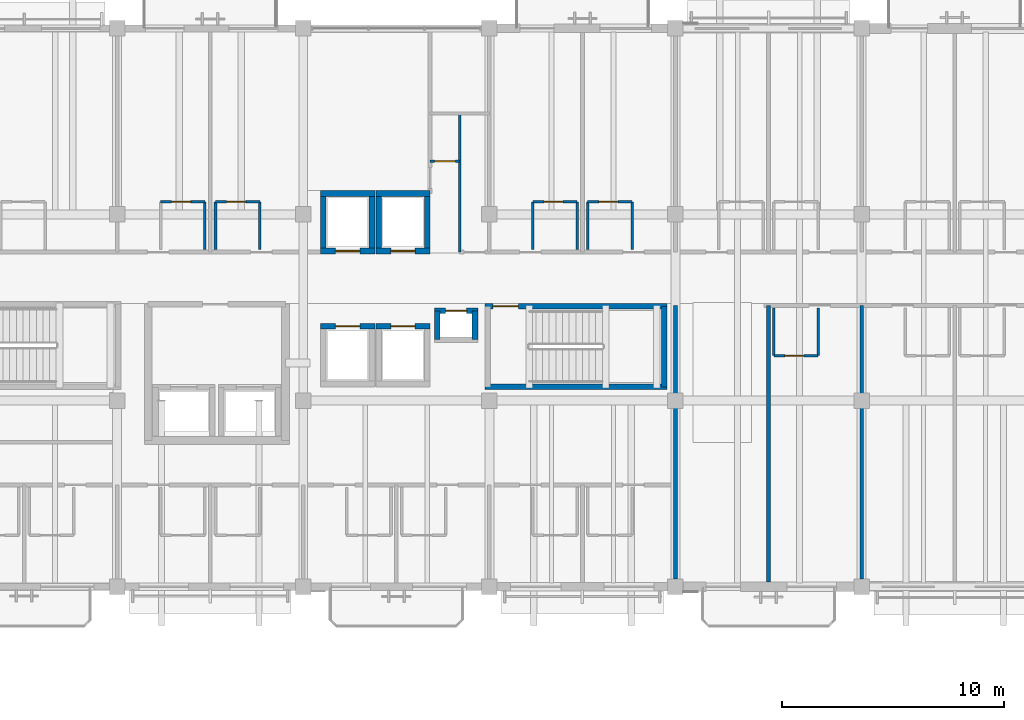
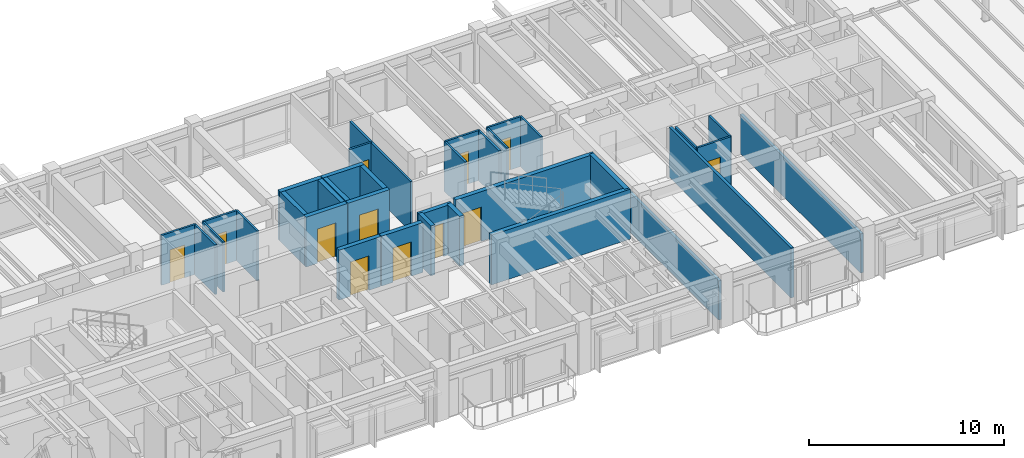
# One storey, part 81 of 93: 35 walls, 12 doors, 12 openings.
"""IFC4 building model written with IfcOpenShell, lengths in metres."""

from ifc_helpers import new_model, si_unit, direction, frame, frame_2d, origin, place, context, subcontext, project, spatial, rectangle, extrude, material, layer, layer_set, type_object, element, fill, save


model = new_model("IFC4")

# Units and contexts
model_context = context("Model", 3, precision=1e-05, world=origin(), true_north=direction((0.0, 1.0)))
body_context = subcontext(model_context, "Body", "Model", "MODEL_VIEW")
ifc_project = project(units=[si_unit("LENGTHUNIT", "METRE"), si_unit("AREAUNIT", "SQUARE_METRE"), si_unit("VOLUMEUNIT", "CUBIC_METRE"), si_unit("PLANEANGLEUNIT", "RADIAN"), si_unit("MASSUNIT", "GRAM", prefix="KILO")], contexts=[model_context])

# Site, building, storey
site_placement = place(None, origin())
site = spatial("IfcSite", under=ifc_project, at=site_placement, CompositionType="ELEMENT")
building_placement = place(site_placement, origin())
building = spatial("IfcBuilding", under=site, at=building_placement, Name="Cumbredor Promenade Congress Hotel", CompositionType="ELEMENT")
storey_placement = place(building_placement, frame((0.0, 0.0, 21.840087890625)))
storey = spatial("IfcBuildingStorey", under=building, at=storey_placement, Name="L06", CompositionType="ELEMENT", Elevation=21.840087890625)

# Wall, opening, door
ifc_material_1 = material(Name="Moisture-resistant gypsum board on steel studs", Category="steel")
ifc_layer_1 = layer(ifc_material_1, 0.114990234375, Name="Moisture-resistant gypsum board on steel studs", Category="steel")
ifc_layer_set_1 = layer_set([ifc_layer_1], Name="Moisture-resistant gypsum board on steel studs")
wall_type_1 = type_object("IfcWallType", Name="WL-BATH-115", PredefinedType="PARTITIONING", material=ifc_layer_set_1)
wall_1_placement = place(storey_placement, frame((27.159912109375, 109.77001953125, 0.0), z_axis=(0.0, 0.0, 1.0), x_axis=(1.0, 0.0, 0.0)))
wall_1 = element("IfcWall", 1, at=wall_1_placement, inside=storey, type_object=wall_type_1, Name="L06 Interior Partition W-L06-BH-0606", PredefinedType="PARTITIONING", context=body_context, shape_type="SweptSolid", body=[
    extrude(rectangle(XDim=2.0, YDim=0.114990234375, at=frame_2d((1.0, 0.0))), origin(), (0.0, 0.0, 1.0), 3.119873046875),
])
opening_1_placement = place(wall_1_placement, frame((0.5, 0.0, 0.0)))
opening_1 = element("IfcOpeningElement", 2, at=opening_1_placement, cuts=wall_1, Name="Opening ID-01", PredefinedType="OPENING", context=body_context, shape_type="SweptSolid", body=[
    extrude(rectangle(XDim=0.860107421875, YDim=2.050048828125, at=frame_2d((0.43017578125, 1.02490234375))), frame((0.0, 0.0673828125, 0.0), z_axis=(0.0, -1.0, 0.0), x_axis=(1.0, 0.0, 0.0)), (0.0, 0.0, 1.0), 0.135009765625),
])
ifc_material_2 = material(Name="Kiln-dried tropical hardwood", Category="wood")
door_type_1 = type_object("IfcDoorType", Name="DR-BATH-860", OperationType="NOTDEFINED", PredefinedType="DOOR", material=ifc_material_2)
door_1_placement = place(opening_1_placement, origin())
door_1 = element("IfcDoor", 3, at=door_1_placement, inside=storey, type_object=door_type_1, Name="L06 Interior Door W-L06-BH-0606-01", OperationType="SINGLE_SWING_RIGHT", OverallHeight=2.050048828125, OverallWidth=0.860107421875, PredefinedType="DOOR", context=body_context, shape_type="SweptSolid", body=[
    extrude(rectangle(XDim=0.860107421875, YDim=2.050048828125, at=frame_2d((0.43017578125, 1.02490234375))), frame((0.0, 0.02490234375, 0.0), z_axis=(0.0, -1.0, 0.0), x_axis=(1.0, 0.0, 0.0)), (0.0, 0.0, 1.0), 0.050048828125),
])
fill(opening_1, door_1)

# Wall
wall_2_placement = place(storey_placement, frame((29.159912109375, 107.6201171875, 0.0), z_axis=(0.0, 0.0, 1.0), x_axis=(0.0, 1.0, 0.0)))
element("IfcWall", 4, at=wall_2_placement, inside=storey, type_object=wall_type_1, Name="L06 Interior Partition W-L06-BV2-0606", PredefinedType="PARTITIONING", context=body_context, shape_type="SweptSolid", body=[
    extrude(rectangle(XDim=2.14990234375, YDim=0.114990234375, at=frame_2d((1.074951171875, 0.0))), origin(), (0.0, 0.0, 1.0), 3.119873046875),
])

# Wall, opening, door
wall_3_placement = place(storey_placement, frame((29.639892578125, 109.77001953125, 0.0), z_axis=(0.0, 0.0, 1.0), x_axis=(1.0, 0.0, 0.0)))
wall_3 = element("IfcWall", 5, at=wall_3_placement, inside=storey, type_object=wall_type_1, Name="L06 Interior Partition W-L06-BH-0607", PredefinedType="PARTITIONING", context=body_context, shape_type="SweptSolid", body=[
    extrude(rectangle(XDim=2.0, YDim=0.114990234375, at=frame_2d((1.0, 0.0))), origin(), (0.0, 0.0, 1.0), 3.119873046875),
])
opening_2_placement = place(wall_3_placement, frame((0.5, 0.0, 0.0)))
opening_2 = element("IfcOpeningElement", 6, at=opening_2_placement, cuts=wall_3, Name="Opening ID-01", PredefinedType="OPENING", context=body_context, shape_type="SweptSolid", body=[
    extrude(rectangle(XDim=0.860107421875, YDim=2.050048828125, at=frame_2d((0.43017578125, 1.02490234375))), frame((0.0, 0.0673828125, 0.0), z_axis=(0.0, -1.0, 0.0), x_axis=(1.0, 0.0, 0.0)), (0.0, 0.0, 1.0), 0.135009765625),
])
door_2_placement = place(opening_2_placement, origin())
door_2 = element("IfcDoor", 7, at=door_2_placement, inside=storey, type_object=door_type_1, Name="L06 Interior Door W-L06-BH-0607-01", OperationType="SINGLE_SWING_LEFT", OverallHeight=2.050048828125, OverallWidth=0.860107421875, PredefinedType="DOOR", context=body_context, shape_type="SweptSolid", body=[
    extrude(rectangle(XDim=0.860107421875, YDim=2.050048828125, at=frame_2d((0.43017578125, 1.02490234375))), frame((0.0, 0.02490234375, 0.0), z_axis=(0.0, -1.0, 0.0), x_axis=(1.0, 0.0, 0.0)), (0.0, 0.0, 1.0), 0.050048828125),
])
fill(opening_2, door_2)

# Walls
for number, where, z_axis, x_axis, name in (
    (8, (29.639892578125, 107.6201171875, 0.0), (0.0, 0.0, 1.0), (0.0, 1.0, 0.0), "L06 Interior Partition W-L06-BV1-0607"),
    (9, (31.639892578125, 107.6201171875, 0.0), (0.0, 0.0, 1.0), (0.0, 1.0, 0.0), "L06 Interior Partition W-L06-BV2-0607"),
):
    element("IfcWall", number, at=place(storey_placement, frame(where, z_axis=z_axis, x_axis=x_axis)), inside=storey, type_object=wall_type_1, Name=name, PredefinedType="PARTITIONING", context=body_context, shape_type="SweptSolid", body=[
        extrude(rectangle(XDim=2.14990234375, YDim=0.114990234375, at=frame_2d((1.074951171875, 0.0))), origin(), (0.0, 0.0, 1.0), 3.119873046875),
    ])

# Wall, opening, door
wall_4_placement = place(storey_placement, frame((43.9599609375, 109.77001953125, 0.0), z_axis=(0.0, 0.0, 1.0), x_axis=(1.0, 0.0, 0.0)))
wall_4 = element("IfcWall", 10, at=wall_4_placement, inside=storey, type_object=wall_type_1, Name="L06 Interior Partition W-L06-BH-0608", PredefinedType="PARTITIONING", context=body_context, shape_type="SweptSolid", body=[
    extrude(rectangle(XDim=2.0, YDim=0.114990234375, at=frame_2d((1.0, 0.0))), origin(), (0.0, 0.0, 1.0), 3.119873046875),
])
opening_3_placement = place(wall_4_placement, frame((0.5, 0.0, 0.0)))
opening_3 = element("IfcOpeningElement", 11, at=opening_3_placement, cuts=wall_4, Name="Opening ID-01", PredefinedType="OPENING", context=body_context, shape_type="SweptSolid", body=[
    extrude(rectangle(XDim=0.860107421875, YDim=2.050048828125, at=frame_2d((0.43017578125, 1.02490234375))), frame((0.0, 0.0673828125, 0.0), z_axis=(0.0, -1.0, 0.0), x_axis=(1.0, 0.0, 0.0)), (0.0, 0.0, 1.0), 0.135009765625),
])
door_3_placement = place(opening_3_placement, origin())
door_3 = element("IfcDoor", 12, at=door_3_placement, inside=storey, type_object=door_type_1, Name="L06 Interior Door W-L06-BH-0608-01", OperationType="SINGLE_SWING_RIGHT", OverallHeight=2.050048828125, OverallWidth=0.860107421875, PredefinedType="DOOR", context=body_context, shape_type="SweptSolid", body=[
    extrude(rectangle(XDim=0.860107421875, YDim=2.050048828125, at=frame_2d((0.43017578125, 1.02490234375))), frame((0.0, 0.02490234375, 0.0), z_axis=(0.0, -1.0, 0.0), x_axis=(1.0, 0.0, 0.0)), (0.0, 0.0, 1.0), 0.050048828125),
])
fill(opening_3, door_3)

# Walls
for number, where, z_axis, x_axis, name in (
    (13, (43.9599609375, 107.6201171875, 0.0), (0.0, 0.0, 1.0), (0.0, 1.0, 0.0), "L06 Interior Partition W-L06-BV1-0608"),
    (14, (45.9599609375, 107.6201171875, 0.0), (0.0, 0.0, 1.0), (0.0, 1.0, 0.0), "L06 Interior Partition W-L06-BV2-0608"),
):
    element("IfcWall", number, at=place(storey_placement, frame(where, z_axis=z_axis, x_axis=x_axis)), inside=storey, type_object=wall_type_1, Name=name, PredefinedType="PARTITIONING", context=body_context, shape_type="SweptSolid", body=[
        extrude(rectangle(XDim=2.14990234375, YDim=0.114990234375, at=frame_2d((1.074951171875, 0.0))), origin(), (0.0, 0.0, 1.0), 3.119873046875),
    ])

# Wall, opening, door
wall_5_placement = place(storey_placement, frame((46.43994140625, 109.77001953125, 0.0), z_axis=(0.0, 0.0, 1.0), x_axis=(1.0, 0.0, 0.0)))
wall_5 = element("IfcWall", 15, at=wall_5_placement, inside=storey, type_object=wall_type_1, Name="L06 Interior Partition W-L06-BH-0609", PredefinedType="PARTITIONING", context=body_context, shape_type="SweptSolid", body=[
    extrude(rectangle(XDim=2.0, YDim=0.114990234375, at=frame_2d((1.0, 0.0))), origin(), (0.0, 0.0, 1.0), 3.119873046875),
])
opening_4_placement = place(wall_5_placement, frame((0.5, 0.0, 0.0)))
opening_4 = element("IfcOpeningElement", 16, at=opening_4_placement, cuts=wall_5, Name="Opening ID-01", PredefinedType="OPENING", context=body_context, shape_type="SweptSolid", body=[
    extrude(rectangle(XDim=0.860107421875, YDim=2.050048828125, at=frame_2d((0.43017578125, 1.02490234375))), frame((0.0, 0.0673828125, 0.0), z_axis=(0.0, -1.0, 0.0), x_axis=(1.0, 0.0, 0.0)), (0.0, 0.0, 1.0), 0.135009765625),
])
door_4_placement = place(opening_4_placement, origin())
door_4 = element("IfcDoor", 17, at=door_4_placement, inside=storey, type_object=door_type_1, Name="L06 Interior Door W-L06-BH-0609-01", OperationType="SINGLE_SWING_LEFT", OverallHeight=2.050048828125, OverallWidth=0.860107421875, PredefinedType="DOOR", context=body_context, shape_type="SweptSolid", body=[
    extrude(rectangle(XDim=0.860107421875, YDim=2.050048828125, at=frame_2d((0.43017578125, 1.02490234375))), frame((0.0, 0.02490234375, 0.0), z_axis=(0.0, -1.0, 0.0), x_axis=(1.0, 0.0, 0.0)), (0.0, 0.0, 1.0), 0.050048828125),
])
fill(opening_4, door_4)

# Walls
for number, where, z_axis, x_axis, name in (
    (18, (46.43994140625, 107.6201171875, 0.0), (0.0, 0.0, 1.0), (0.0, 1.0, 0.0), "L06 Interior Partition W-L06-BV1-0609"),
    (19, (48.43994140625, 107.6201171875, 0.0), (0.0, 0.0, 1.0), (0.0, 1.0, 0.0), "L06 Interior Partition W-L06-BV2-0609"),
):
    element("IfcWall", number, at=place(storey_placement, frame(where, z_axis=z_axis, x_axis=x_axis)), inside=storey, type_object=wall_type_1, Name=name, PredefinedType="PARTITIONING", context=body_context, shape_type="SweptSolid", body=[
        extrude(rectangle(XDim=2.14990234375, YDim=0.114990234375, at=frame_2d((1.074951171875, 0.0))), origin(), (0.0, 0.0, 1.0), 3.119873046875),
    ])

# Wall, opening, door
wall_6_placement = place(storey_placement, frame((54.840087890625, 102.830078125, 0.0), z_axis=(0.0, 0.0, 1.0), x_axis=(1.0, 0.0, 0.0)))
wall_6 = element("IfcWall", 20, at=wall_6_placement, inside=storey, type_object=wall_type_1, Name="L06 Interior Partition W-L06-BH-0614", PredefinedType="PARTITIONING", context=body_context, shape_type="SweptSolid", body=[
    extrude(rectangle(XDim=2.0, YDim=0.114990234375, at=frame_2d((1.0, 0.0))), origin(), (0.0, 0.0, 1.0), 3.119873046875),
])
opening_5_placement = place(wall_6_placement, frame((0.5, 0.0, 0.0)))
opening_5 = element("IfcOpeningElement", 21, at=opening_5_placement, cuts=wall_6, Name="Opening ID-01", PredefinedType="OPENING", context=body_context, shape_type="SweptSolid", body=[
    extrude(rectangle(XDim=0.860107421875, YDim=2.050048828125, at=frame_2d((0.43017578125, 1.02490234375))), frame((0.0, 0.0673828125, 0.0), z_axis=(0.0, -1.0, 0.0), x_axis=(1.0, 0.0, 0.0)), (0.0, 0.0, 1.0), 0.135009765625),
])
door_5_placement = place(opening_5_placement, origin())
door_5 = element("IfcDoor", 22, at=door_5_placement, inside=storey, type_object=door_type_1, Name="L06 Interior Door W-L06-BH-0614-01", OperationType="SINGLE_SWING_RIGHT", OverallHeight=2.050048828125, OverallWidth=0.860107421875, PredefinedType="DOOR", context=body_context, shape_type="SweptSolid", body=[
    extrude(rectangle(XDim=0.860107421875, YDim=2.050048828125, at=frame_2d((0.43017578125, 1.02490234375))), frame((0.0, 0.02490234375, 0.0), z_axis=(0.0, -1.0, 0.0), x_axis=(1.0, 0.0, 0.0)), (0.0, 0.0, 1.0), 0.050048828125),
])
fill(opening_5, door_5)

# Walls
for number, where, z_axis, x_axis, name in (
    (23, (54.840087890625, 102.830078125, 0.0), (0.0, 0.0, 1.0), (0.0, 1.0, 0.0), "L06 Interior Partition W-L06-BV1-0614"),
    (24, (56.840087890625, 102.830078125, 0.0), (0.0, 0.0, 1.0), (0.0, 1.0, 0.0), "L06 Interior Partition W-L06-BV2-0614"),
):
    element("IfcWall", number, at=place(storey_placement, frame(where, z_axis=z_axis, x_axis=x_axis)), inside=storey, type_object=wall_type_1, Name=name, PredefinedType="PARTITIONING", context=body_context, shape_type="SweptSolid", body=[
        extrude(rectangle(XDim=2.14990234375, YDim=0.114990234375, at=frame_2d((1.074951171875, 0.0))), origin(), (0.0, 0.0, 1.0), 3.119873046875),
    ])

# Wall, opening, door
ifc_material_3 = material(Name="Gypsum board on steel studs", Category="steel")
ifc_layer_2 = layer(ifc_material_3, 0.125, Name="Gypsum board on steel studs", Category="steel")
ifc_layer_set_2 = layer_set([ifc_layer_2], Name="Gypsum board on steel studs")
wall_type_2 = type_object("IfcWallType", Name="WL-PART-125", PredefinedType="PARTITIONING", material=ifc_layer_set_2)
wall_7_placement = place(storey_placement, frame((39.330078125, 111.60009765625, 0.0), z_axis=(0.0, 0.0, 1.0), x_axis=(1.0, 0.0, 0.0)))
wall_7 = element("IfcWall", 25, at=wall_7_placement, inside=storey, type_object=wall_type_2, Name="L06 Interior Partition W-L06-HK-S", PredefinedType="PARTITIONING", context=body_context, shape_type="SweptSolid", body=[
    extrude(rectangle(XDim=1.329833984375, YDim=0.125, at=frame_2d((0.6650390625, 0.0))), origin(), (0.0, 0.0, 1.0), 3.119873046875),
])
opening_6_placement = place(wall_7_placement, frame((0.195068359375, 0.0, 0.0)))
opening_6 = element("IfcOpeningElement", 26, at=opening_6_placement, cuts=wall_7, Name="Opening FD-03", PredefinedType="OPENING", context=body_context, shape_type="SweptSolid", body=[
    extrude(rectangle(XDim=0.93994140625, YDim=2.10009765625, at=frame_2d((0.469970703125, 1.050048828125))), frame((0.0, 0.072509765625, 0.0), z_axis=(0.0, -1.0, 0.0), x_axis=(1.0, 0.0, 0.0)), (0.0, 0.0, 1.0), 0.14501953125),
])
ifc_material_4 = material(Name="Painted galvanized steel fire door", Category="steel")
door_type_2 = type_object("IfcDoorType", Name="DR-SGL-FD60-950", OperationType="NOTDEFINED", PredefinedType="DOOR", material=ifc_material_4)
door_6_placement = place(opening_6_placement, origin())
door_6 = element("IfcDoor", 27, at=door_6_placement, inside=storey, type_object=door_type_2, Name="L06 Interior Door W-L06-HK-S-01", OperationType="SINGLE_SWING_LEFT", OverallHeight=2.10009765625, OverallWidth=0.93994140625, PredefinedType="DOOR", context=body_context, shape_type="SweptSolid", body=[
    extrude(rectangle(XDim=0.93994140625, YDim=2.10009765625, at=frame_2d((0.469970703125, 1.050048828125))), frame((0.0, 0.02490234375, 0.0), z_axis=(0.0, -1.0, 0.0), x_axis=(1.0, 0.0, 0.0)), (0.0, 0.0, 1.0), 0.050048828125),
])
fill(opening_6, door_6)

# Walls
wall_8_placement = place(storey_placement, frame((40.659912109375, 107.5, 0.0), z_axis=(0.0, 0.0, 1.0), x_axis=(0.0, 1.0, 0.0)))
element("IfcWall", 28, at=wall_8_placement, inside=storey, type_object=wall_type_2, Name="L06 Interior Partition W-L06-HK-DIV", PredefinedType="PARTITIONING", context=body_context, shape_type="SweptSolid", body=[
    extrude(rectangle(XDim=6.25, YDim=0.125, at=frame_2d((3.125, 0.0))), origin(), (0.0, 0.0, 1.0), 3.119873046875),
])
ifc_material_5 = material(Name="Concrete C40/50", Category="concrete")
ifc_layer_3 = layer(ifc_material_5, 0.2548828125, Name="Concrete C40/50", Category="concrete")
ifc_layer_set_3 = layer_set([ifc_layer_3], Name="Concrete C40/50")
wall_type_3 = type_object("IfcWallType", Name="WL-SHAFT-250", PredefinedType="SOLIDWALL", material=ifc_layer_set_3)
wall_9_placement = place(storey_placement, frame((41.802490234375, 101.419921875, 0.0), z_axis=(0.0, 0.0, 1.0), x_axis=(1.0, 0.0, 0.0)))
element("IfcWall", 29, at=wall_9_placement, inside=storey, type_object=wall_type_3, Name="STAIR-ST-03-L06 Shaft Wall South", PredefinedType="SOLIDWALL", context=body_context, shape_type="SweptSolid", body=[
    extrude(rectangle(XDim=8.22509765625, YDim=0.2548828125, at=frame_2d((4.112548828125, 0.0))), origin(), (0.0, 0.0, 1.0), 3.119873046875),
])

# Wall, opening, door
wall_10_placement = place(storey_placement, frame((41.802490234375, 105.050048828125, 0.0), z_axis=(0.0, 0.0, 1.0), x_axis=(1.0, 0.0, 0.0)))
wall_10 = element("IfcWall", 30, at=wall_10_placement, inside=storey, type_object=wall_type_3, Name="STAIR-ST-03-L06 Shaft Wall North", PredefinedType="SOLIDWALL", context=body_context, shape_type="SweptSolid", body=[
    extrude(rectangle(XDim=8.22509765625, YDim=0.2548828125, at=frame_2d((4.112548828125, 0.0))), origin(), (0.0, 0.0, 1.0), 3.119873046875),
])
opening_7_placement = place(wall_10_placement, frame((0.35009765625, 0.0, 0.0)))
opening_7 = element("IfcOpeningElement", 31, at=opening_7_placement, cuts=wall_10, Name="Opening SD-01", PredefinedType="OPENING", context=body_context, shape_type="SweptSolid", body=[
    extrude(rectangle(XDim=1.159912109375, YDim=2.14990234375, at=frame_2d((0.580078125, 1.074951171875))), frame((0.0, 0.137451171875, 0.0), z_axis=(0.0, -1.0, 0.0), x_axis=(1.0, 0.0, 0.0)), (0.0, 0.0, 1.0), 0.27490234375),
])
door_type_3 = type_object("IfcDoorType", Name="DR-STAIR-FD90-1150", OperationType="NOTDEFINED", PredefinedType="DOOR", material=ifc_material_4)
door_7_placement = place(opening_7_placement, origin())
door_7 = element("IfcDoor", 32, at=door_7_placement, inside=storey, type_object=door_type_3, Name="L06 Protected Exit Stair ST-03 Door", OperationType="SINGLE_SWING_RIGHT", OverallHeight=2.14990234375, OverallWidth=1.159912109375, PredefinedType="DOOR", context=body_context, shape_type="SweptSolid", body=[
    extrude(rectangle(XDim=1.159912109375, YDim=2.14990234375, at=frame_2d((0.580078125, 1.074951171875))), frame((0.0, 0.02490234375, 0.0), z_axis=(0.0, -1.0, 0.0), x_axis=(1.0, 0.0, 0.0)), (0.0, 0.0, 1.0), 0.050048828125),
])
fill(opening_7, door_7)

# Wall
wall_11_placement = place(storey_placement, frame((49.89990234375, 101.419921875, 0.0), z_axis=(0.0, 0.0, 1.0), x_axis=(0.0, 1.0, 0.0)))
element("IfcWall", 33, at=wall_11_placement, inside=storey, type_object=wall_type_3, Name="STAIR-ST-03-L06 Shaft Wall East", PredefinedType="SOLIDWALL", context=body_context, shape_type="SweptSolid", body=[
    extrude(rectangle(XDim=3.630126953125, YDim=0.2548828125, at=frame_2d((1.81494140625, 0.0))), origin(), (0.0, 0.0, 1.0), 3.119873046875),
])

# Wall, opening, door
wall_12_placement = place(storey_placement, frame((34.37255859375, 107.550048828125, 0.0), z_axis=(0.0, 0.0, 1.0), x_axis=(1.0, 0.0, 0.0)))
wall_12 = element("IfcWall", 34, at=wall_12_placement, inside=storey, type_object=wall_type_3, Name="SHAFT-PL-01-L06 Shaft Wall South", PredefinedType="SOLIDWALL", context=body_context, shape_type="SweptSolid", body=[
    extrude(rectangle(XDim=2.454833984375, YDim=0.2548828125, at=frame_2d((1.2275390625, 0.0))), origin(), (0.0, 0.0, 1.0), 3.119873046875),
])
opening_8_placement = place(wall_12_placement, frame((0.677490234375, 0.0, 0.0)))
opening_8 = element("IfcOpeningElement", 35, at=opening_8_placement, cuts=wall_12, Name="Opening LD-01", PredefinedType="OPENING", context=body_context, shape_type="SweptSolid", body=[
    extrude(rectangle(XDim=1.10009765625, YDim=2.14990234375, at=frame_2d((0.550048828125, 1.074951171875))), frame((0.0, 0.137451171875, 0.0), z_axis=(0.0, -1.0, 0.0), x_axis=(1.0, 0.0, 0.0)), (0.0, 0.0, 1.0), 0.27490234375),
])
ifc_material_6 = material(Name="Brushed stainless steel", Category="steel")
door_type_4 = type_object("IfcDoorType", Name="Lift Landing Sliding Door LD-01 1100x2150", OperationType="DOUBLE_DOOR_SLIDING", PredefinedType="DOOR", material=ifc_material_6)
door_8_placement = place(opening_8_placement, origin())
door_8 = element("IfcDoor", 36, at=door_8_placement, inside=storey, type_object=door_type_4, Name="L06 Hotel Passenger Lift PL-01 Sliding Landing Door", OperationType="DOUBLE_DOOR_SLIDING", OverallHeight=2.14990234375, OverallWidth=1.10009765625, PredefinedType="DOOR", context=body_context, shape_type="SweptSolid", body=[
    extrude(rectangle(XDim=1.10009765625, YDim=2.14990234375, at=frame_2d((0.550048828125, 1.074951171875))), frame((0.0, 0.02490234375, 0.0), z_axis=(0.0, -1.0, 0.0), x_axis=(1.0, 0.0, 0.0)), (0.0, 0.0, 1.0), 0.050048828125),
])
fill(opening_8, door_8)

# Walls
wall_13_placement = place(storey_placement, frame((34.37255859375, 110.14990234375, 0.0), z_axis=(0.0, 0.0, 1.0), x_axis=(1.0, 0.0, 0.0)))
element("IfcWall", 37, at=wall_13_placement, inside=storey, type_object=wall_type_3, Name="SHAFT-PL-01-L06 Shaft Wall North", PredefinedType="SOLIDWALL", context=body_context, shape_type="SweptSolid", body=[
    extrude(rectangle(XDim=2.454833984375, YDim=0.2548828125, at=frame_2d((1.2275390625, 0.0))), origin(), (0.0, 0.0, 1.0), 3.119873046875),
])
for number, where, z_axis, x_axis, name in (
    (38, (34.5, 107.550048828125, 0.0), (0.0, 0.0, 1.0), (0.0, 1.0, 0.0), "SHAFT-PL-01-L06 Shaft Wall West"),
    (39, (36.699951171875, 107.550048828125, 0.0), (0.0, 0.0, 1.0), (0.0, 1.0, 0.0), "SHAFT-PL-01-L06 Shaft Wall East"),
):
    element("IfcWall", number, at=place(storey_placement, frame(where, z_axis=z_axis, x_axis=x_axis)), inside=storey, type_object=wall_type_3, Name=name, PredefinedType="SOLIDWALL", context=body_context, shape_type="SweptSolid", body=[
        extrude(rectangle(XDim=2.599853515625, YDim=0.2548828125, at=frame_2d((1.2998046875, 0.0))), origin(), (0.0, 0.0, 1.0), 3.119873046875),
    ])

# Wall, opening, door
wall_14_placement = place(storey_placement, frame((36.87255859375, 107.550048828125, 0.0), z_axis=(0.0, 0.0, 1.0), x_axis=(1.0, 0.0, 0.0)))
wall_14 = element("IfcWall", 40, at=wall_14_placement, inside=storey, type_object=wall_type_3, Name="SHAFT-PL-02-L06 Shaft Wall South", PredefinedType="SOLIDWALL", context=body_context, shape_type="SweptSolid", body=[
    extrude(rectangle(XDim=2.454833984375, YDim=0.2548828125, at=frame_2d((1.2275390625, 0.0))), origin(), (0.0, 0.0, 1.0), 3.119873046875),
])
opening_9_placement = place(wall_14_placement, frame((0.677490234375, 0.0, 0.0)))
opening_9 = element("IfcOpeningElement", 41, at=opening_9_placement, cuts=wall_14, Name="Opening LD-01", PredefinedType="OPENING", context=body_context, shape_type="SweptSolid", body=[
    extrude(rectangle(XDim=1.10009765625, YDim=2.14990234375, at=frame_2d((0.550048828125, 1.074951171875))), frame((0.0, 0.137451171875, 0.0), z_axis=(0.0, -1.0, 0.0), x_axis=(1.0, 0.0, 0.0)), (0.0, 0.0, 1.0), 0.27490234375),
])
door_9_placement = place(opening_9_placement, origin())
door_9 = element("IfcDoor", 42, at=door_9_placement, inside=storey, type_object=door_type_4, Name="L06 Hotel Passenger Lift PL-02 Sliding Landing Door", OperationType="DOUBLE_DOOR_SLIDING", OverallHeight=2.14990234375, OverallWidth=1.10009765625, PredefinedType="DOOR", context=body_context, shape_type="SweptSolid", body=[
    extrude(rectangle(XDim=1.10009765625, YDim=2.14990234375, at=frame_2d((0.550048828125, 1.074951171875))), frame((0.0, 0.02490234375, 0.0), z_axis=(0.0, -1.0, 0.0), x_axis=(1.0, 0.0, 0.0)), (0.0, 0.0, 1.0), 0.050048828125),
])
fill(opening_9, door_9)

# Walls
wall_15_placement = place(storey_placement, frame((36.87255859375, 110.14990234375, 0.0), z_axis=(0.0, 0.0, 1.0), x_axis=(1.0, 0.0, 0.0)))
element("IfcWall", 43, at=wall_15_placement, inside=storey, type_object=wall_type_3, Name="SHAFT-PL-02-L06 Shaft Wall North", PredefinedType="SOLIDWALL", context=body_context, shape_type="SweptSolid", body=[
    extrude(rectangle(XDim=2.454833984375, YDim=0.2548828125, at=frame_2d((1.2275390625, 0.0))), origin(), (0.0, 0.0, 1.0), 3.119873046875),
])
for number, where, z_axis, x_axis, name in (
    (44, (37.0, 107.550048828125, 0.0), (0.0, 0.0, 1.0), (0.0, 1.0, 0.0), "SHAFT-PL-02-L06 Shaft Wall West"),
    (45, (39.199951171875, 107.550048828125, 0.0), (0.0, 0.0, 1.0), (0.0, 1.0, 0.0), "SHAFT-PL-02-L06 Shaft Wall East"),
):
    element("IfcWall", number, at=place(storey_placement, frame(where, z_axis=z_axis, x_axis=x_axis)), inside=storey, type_object=wall_type_3, Name=name, PredefinedType="SOLIDWALL", context=body_context, shape_type="SweptSolid", body=[
        extrude(rectangle(XDim=2.599853515625, YDim=0.2548828125, at=frame_2d((1.2998046875, 0.0))), origin(), (0.0, 0.0, 1.0), 3.119873046875),
    ])

# Wall, opening, door
wall_16_placement = place(storey_placement, frame((34.37255859375, 104.14990234375, 0.0), z_axis=(0.0, 0.0, 1.0), x_axis=(1.0, 0.0, 0.0)))
wall_16 = element("IfcWall", 46, at=wall_16_placement, inside=storey, type_object=wall_type_3, Name="SHAFT-PL-03-L06 Shaft Wall North", PredefinedType="SOLIDWALL", context=body_context, shape_type="SweptSolid", body=[
    extrude(rectangle(XDim=2.454833984375, YDim=0.2548828125, at=frame_2d((1.2275390625, 0.0))), origin(), (0.0, 0.0, 1.0), 3.119873046875),
])
opening_10_placement = place(wall_16_placement, frame((0.677490234375, 0.0, 0.0)))
opening_10 = element("IfcOpeningElement", 47, at=opening_10_placement, cuts=wall_16, Name="Opening LD-01", PredefinedType="OPENING", context=body_context, shape_type="SweptSolid", body=[
    extrude(rectangle(XDim=1.10009765625, YDim=2.14990234375, at=frame_2d((0.550048828125, 1.074951171875))), frame((0.0, 0.137451171875, 0.0), z_axis=(0.0, -1.0, 0.0), x_axis=(1.0, 0.0, 0.0)), (0.0, 0.0, 1.0), 0.27490234375),
])
door_10_placement = place(opening_10_placement, origin())
door_10 = element("IfcDoor", 48, at=door_10_placement, inside=storey, type_object=door_type_4, Name="L06 Hotel Passenger Lift PL-03 Sliding Landing Door", OperationType="DOUBLE_DOOR_SLIDING", OverallHeight=2.14990234375, OverallWidth=1.10009765625, PredefinedType="DOOR", context=body_context, shape_type="SweptSolid", body=[
    extrude(rectangle(XDim=1.10009765625, YDim=2.14990234375, at=frame_2d((0.550048828125, 1.074951171875))), frame((0.0, 0.02490234375, 0.0), z_axis=(0.0, -1.0, 0.0), x_axis=(1.0, 0.0, 0.0)), (0.0, 0.0, 1.0), 0.050048828125),
])
fill(opening_10, door_10)

wall_17_placement = place(storey_placement, frame((36.87255859375, 104.14990234375, 0.0), z_axis=(0.0, 0.0, 1.0), x_axis=(1.0, 0.0, 0.0)))
wall_17 = element("IfcWall", 49, at=wall_17_placement, inside=storey, type_object=wall_type_3, Name="SHAFT-PL-04-L06 Shaft Wall North", PredefinedType="SOLIDWALL", context=body_context, shape_type="SweptSolid", body=[
    extrude(rectangle(XDim=2.454833984375, YDim=0.2548828125, at=frame_2d((1.2275390625, 0.0))), origin(), (0.0, 0.0, 1.0), 3.119873046875),
])
opening_11_placement = place(wall_17_placement, frame((0.677490234375, 0.0, 0.0)))
opening_11 = element("IfcOpeningElement", 50, at=opening_11_placement, cuts=wall_17, Name="Opening LD-01", PredefinedType="OPENING", context=body_context, shape_type="SweptSolid", body=[
    extrude(rectangle(XDim=1.10009765625, YDim=2.14990234375, at=frame_2d((0.550048828125, 1.074951171875))), frame((0.0, 0.137451171875, 0.0), z_axis=(0.0, -1.0, 0.0), x_axis=(1.0, 0.0, 0.0)), (0.0, 0.0, 1.0), 0.27490234375),
])
door_11_placement = place(opening_11_placement, origin())
door_11 = element("IfcDoor", 51, at=door_11_placement, inside=storey, type_object=door_type_4, Name="L06 Hotel Passenger Lift PL-04 Sliding Landing Door", OperationType="DOUBLE_DOOR_SLIDING", OverallHeight=2.14990234375, OverallWidth=1.10009765625, PredefinedType="DOOR", context=body_context, shape_type="SweptSolid", body=[
    extrude(rectangle(XDim=1.10009765625, YDim=2.14990234375, at=frame_2d((0.550048828125, 1.074951171875))), frame((0.0, 0.02490234375, 0.0), z_axis=(0.0, -1.0, 0.0), x_axis=(1.0, 0.0, 0.0)), (0.0, 0.0, 1.0), 0.050048828125),
])
fill(opening_11, door_11)

wall_18_placement = place(storey_placement, frame((39.5224609375, 104.85009765625, 0.0), z_axis=(0.0, 0.0, 1.0), x_axis=(1.0, 0.0, 0.0)))
wall_18 = element("IfcWall", 52, at=wall_18_placement, inside=storey, type_object=wall_type_3, Name="RISER-MEP-R1-L06 Shaft Wall North", PredefinedType="SOLIDWALL", context=body_context, shape_type="SweptSolid", body=[
    extrude(rectangle(XDim=1.955078125, YDim=0.2548828125, at=frame_2d((0.9775390625, 0.0))), origin(), (0.0, 0.0, 1.0), 3.119873046875),
])
opening_12_placement = place(wall_18_placement, frame((0.507568359375, 0.0, 0.0)))
opening_12 = element("IfcOpeningElement", 53, at=opening_12_placement, cuts=wall_18, Name="Opening FD-03", PredefinedType="OPENING", context=body_context, shape_type="SweptSolid", body=[
    extrude(rectangle(XDim=0.93994140625, YDim=2.10009765625, at=frame_2d((0.469970703125, 1.050048828125))), frame((0.0, 0.137451171875, 0.0), z_axis=(0.0, -1.0, 0.0), x_axis=(1.0, 0.0, 0.0)), (0.0, 0.0, 1.0), 0.27490234375),
])
door_12_placement = place(opening_12_placement, origin())
door_12 = element("IfcDoor", 54, at=door_12_placement, inside=storey, type_object=door_type_2, Name="L06 Hotel MEP Riser Shaft R1 Access Door", OperationType="SINGLE_SWING_LEFT", OverallHeight=2.10009765625, OverallWidth=0.93994140625, PredefinedType="DOOR", context=body_context, shape_type="SweptSolid", body=[
    extrude(rectangle(XDim=0.93994140625, YDim=2.10009765625, at=frame_2d((0.469970703125, 1.050048828125))), frame((0.0, 0.02490234375, 0.0), z_axis=(0.0, -1.0, 0.0), x_axis=(1.0, 0.0, 0.0)), (0.0, 0.0, 1.0), 0.050048828125),
])
fill(opening_12, door_12)

# Walls
for number, where, z_axis, x_axis, name in (
    (55, (39.64990234375, 103.550048828125, 0.0), (0.0, 0.0, 1.0), (0.0, 1.0, 0.0), "RISER-MEP-R1-L06 Shaft Wall West"),
    (56, (41.35009765625, 103.550048828125, 0.0), (0.0, 0.0, 1.0), (0.0, 1.0, 0.0), "RISER-MEP-R1-L06 Shaft Wall East"),
):
    element("IfcWall", number, at=place(storey_placement, frame(where, z_axis=z_axis, x_axis=x_axis)), inside=storey, type_object=wall_type_3, Name=name, PredefinedType="SOLIDWALL", context=body_context, shape_type="SweptSolid", body=[
        extrude(rectangle(XDim=1.300048828125, YDim=0.2548828125, at=frame_2d((0.64990234375, 0.0))), origin(), (0.0, 0.0, 1.0), 3.119873046875),
    ])
ifc_material_7 = material(Name="Fire-rated acoustic double-stud partition")
ifc_layer_4 = layer(ifc_material_7, 0.1650390625, Name="Fire-rated acoustic double-stud partition")
ifc_layer_set_4 = layer_set([ifc_layer_4], Name="Fire-rated acoustic double-stud partition")
wall_type_4 = type_object("IfcWallType", Name="WL-UNIT-165", PredefinedType="PARTITIONING", material=ifc_layer_set_4)
wall_19_placement = place(storey_placement, frame((54.60009765625, 92.612548828125, 0.0), z_axis=(0.0, 0.0, 1.0), x_axis=(0.0, 1.0, 0.0)))
element("IfcWall", 57, at=wall_19_placement, inside=storey, type_object=wall_type_4, Name="L06 Interior Partition W-L06-SE-DIV-0-M", PredefinedType="PARTITIONING", context=body_context, shape_type="SweptSolid", body=[
    extrude(rectangle(XDim=12.487548828125, YDim=0.1650390625, at=frame_2d((6.24365234375, 0.0))), origin(), (0.0, 0.0, 1.0), 3.119873046875),
])
for number, where, z_axis, x_axis, name in (
    (58, (50.39990234375, 92.75, 0.0), (0.0, 0.0, 1.0), (0.0, 1.0, 0.0), "L06 Interior Partition W-L06-SE-DIV-0-G"),
    (59, (58.800048828125, 92.75, 0.0), (0.0, 0.0, 1.0), (0.0, 1.0, 0.0), "L06 Interior Partition W-L06-SE-DIV-1-G"),
):
    element("IfcWall", number, at=place(storey_placement, frame(where, z_axis=z_axis, x_axis=x_axis)), inside=storey, type_object=wall_type_4, Name=name, PredefinedType="PARTITIONING", context=body_context, shape_type="SweptSolid", body=[
        extrude(rectangle(XDim=12.35009765625, YDim=0.1650390625, at=frame_2d((6.175048828125, 0.0))), origin(), (0.0, 0.0, 1.0), 2.454833984375),
    ])

save(model, "model.ifc")
